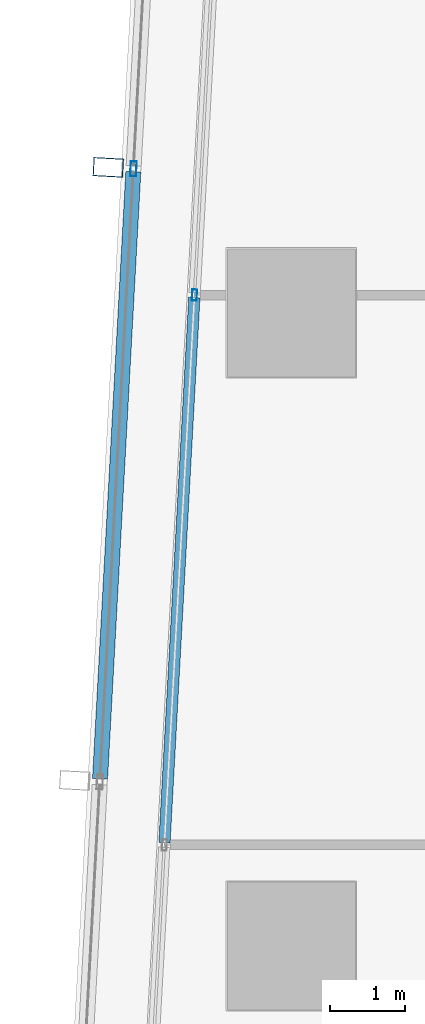
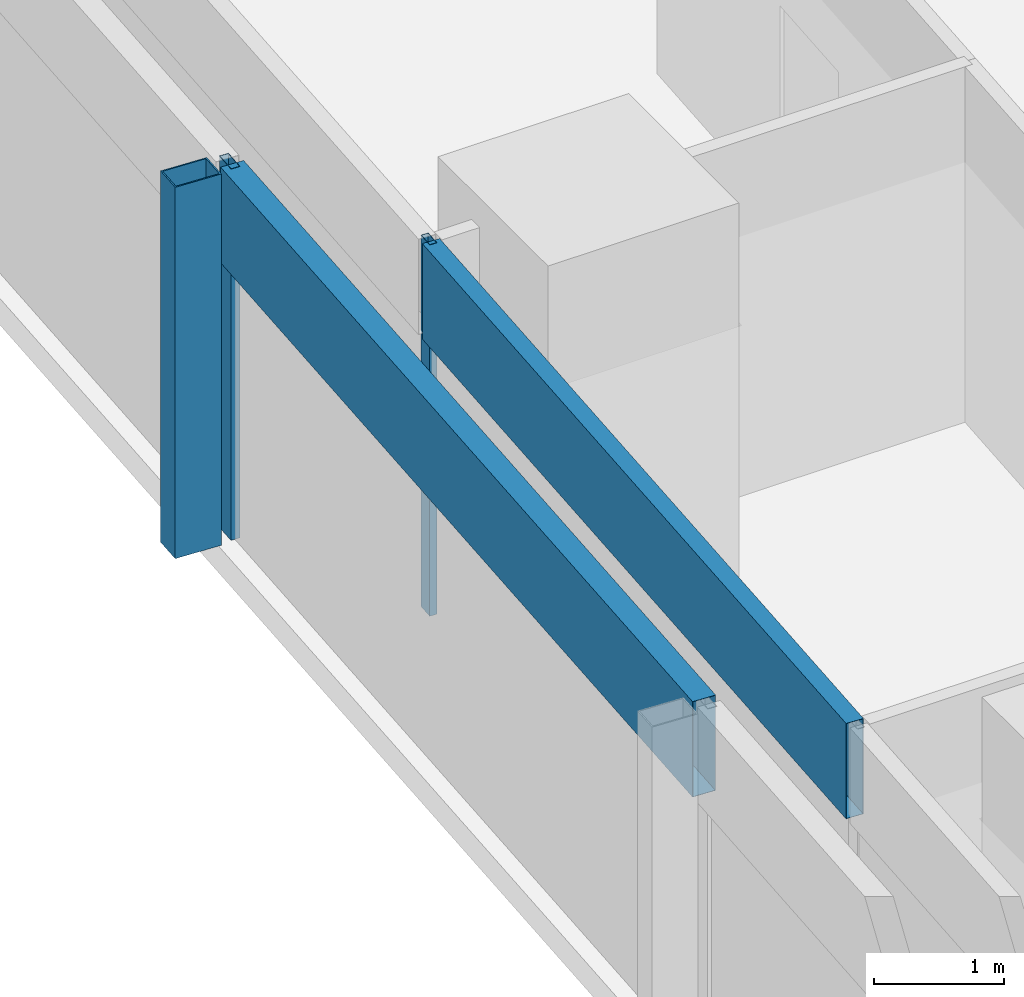
# One storey, part 12 of 38: 5 members, 2 elements without a shape of their own.
"""IFC4 building model written with IfcOpenShell, lengths in metres."""

from ifc_helpers import new_model, si_unit, direction, frame, origin, origin_2d, place, context, subcontext, project, spatial, hollow_rectangle, extrude, material, material_profile, profile_set, type_object, element, aggregate, save


model = new_model("IFC4")

# Units and contexts
model_context = context("Model", 3, precision=1e-05, world=origin(), true_north=direction((0.0, 1.0)))
body_context = subcontext(model_context, "Body", "Model", "MODEL_VIEW")
ifc_project = project(units=[si_unit("LENGTHUNIT", "METRE"), si_unit("AREAUNIT", "SQUARE_METRE"), si_unit("VOLUMEUNIT", "CUBIC_METRE"), si_unit("PLANEANGLEUNIT", "RADIAN"), si_unit("MASSUNIT", "GRAM", prefix="KILO")], contexts=[model_context])

# Site, building, storey
site_placement = place(None, origin())
site = spatial("IfcSite", under=ifc_project, at=site_placement, CompositionType="ELEMENT")
building_placement = place(site_placement, origin())
building = spatial("IfcBuilding", under=site, at=building_placement, Name="Rekha Terrace Tower", CompositionType="ELEMENT")
storey_placement = place(building_placement, frame((0.0, 0.0, 114.050048828125)))
storey = spatial("IfcBuildingStorey", under=building, at=storey_placement, Name="L28", CompositionType="ELEMENT", Elevation=114.050048828125)

# Curtain wall, member
ifc_material_1 = material(Name="Aluminium framing", Category="aluminium")
curtain_wall_type_1 = type_object("IfcCurtainWallType", Name="CW2 double skin outer glazing", PredefinedType="USERDEFINED", material=ifc_material_1)
curtain_wall_1_placement = place(storey_placement, origin())
curtain_wall_1 = element("IfcCurtainWall", 1, at=curtain_wall_1_placement, inside=storey, type_object=curtain_wall_type_1, Name="CW2 double skin outer glazing", ObjectType="DOUBLE SKIN OUTER GLAZING", PredefinedType="USERDEFINED")
ifc_material_2 = material(Name="Steel S355 with fluorocarbon finish", Category="steel")
ifc_material_profile_1 = material_profile(ifc_material_2, hollow_rectangle(XDim=0.25, YDim=0.39990234375, WallThickness=0.012451171875, at=origin_2d()), Name="RHS400x250x12.5")
ifc_profile_set_1 = profile_set([ifc_material_profile_1], Name="Steel S355 with fluorocarbon finish")
member_type_1 = type_object("IfcMemberType", Name="BL1 facade blade RHS 400 x 250", PredefinedType="USERDEFINED", material=ifc_profile_set_1)
member_1_placement = place(storey_placement, frame((5.97119140625, 52.330078125, 0.0), z_axis=(0.0, 0.0, 1.0), x_axis=(-0.054742798353, -0.998500488747, 0.0)))
member_1 = element("IfcMember", 2, at=member_1_placement, type_object=member_type_1, Name="Facade blade", ObjectType="FACADE BLADE", PredefinedType="USERDEFINED", context=body_context, shape_type="SweptSolid", body=[
    extrude(hollow_rectangle(XDim=0.25, YDim=0.39990234375, WallThickness=0.012451171875, at=origin_2d()), origin(), (0.0, 0.0, 1.0), 3.5),
])

# Curtain wall, members
curtain_wall_type_2 = type_object("IfcCurtainWallType", Name="CW1 double skin inner glazing", PredefinedType="USERDEFINED", material=ifc_material_1)
curtain_wall_2_placement = place(storey_placement, origin())
curtain_wall_2 = element("IfcCurtainWall", 3, at=curtain_wall_2_placement, inside=storey, type_object=curtain_wall_type_2, Name="CW1 double skin inner glazing", ObjectType="DOUBLE SKIN INNER GLAZING", PredefinedType="USERDEFINED")
ifc_material_3 = material(Name="Aluminium mullion section", Category="aluminium")
ifc_material_profile_2 = material_profile(ifc_material_3, hollow_rectangle(XDim=0.06494140625, YDim=0.14990234375, WallThickness=0.00390625, at=origin_2d()), Name="AL RHS 65x150")
ifc_profile_set_2 = profile_set([ifc_material_profile_2], Name="Aluminium mullion section")
member_type_2 = type_object("IfcMemberType", Name="CW1 mullion RHS 65 x 150", PredefinedType="MULLION", material=ifc_profile_set_2)
member_2_placement = place(storey_placement, frame((7.115234375, 50.635498046875, 0.0), z_axis=(0.0, 0.0, 1.0), x_axis=(0.998500513181, -0.05474235269, 0.0)))
member_2 = element("IfcMember", 4, at=member_2_placement, type_object=member_type_2, Name="CW1 mullion 2", PredefinedType="MULLION", context=body_context, shape_type="SweptSolid", body=[
    extrude(hollow_rectangle(XDim=0.06494140625, YDim=0.14990234375, WallThickness=0.00390625, at=origin_2d()), origin(), (0.0, 0.0, 1.0), 3.5),
])
ifc_material_4 = material(Name="Insulated aluminium spandrel box", Category="aluminium")
ifc_material_profile_3 = material_profile(ifc_material_4, hollow_rectangle(XDim=0.14990234375, YDim=0.89990234375, WallThickness=0.0029296875, at=origin_2d()), Name="AL SPANDREL BOX 150x900")
ifc_profile_set_3 = profile_set([ifc_material_profile_3], Name="Insulated aluminium spandrel box")
member_type_3 = type_object("IfcMemberType", Name="CW1 spandrel transom 150 x 900", PredefinedType="USERDEFINED", material=ifc_profile_set_3)
member_3_placement = place(storey_placement, frame((7.113525390625, 50.60302734375, 3.050048828125), z_axis=(-0.054747438488, -0.998500234341, 0.0), x_axis=(0.998500234341, -0.054747438488, 0.0)))
member_3 = element("IfcMember", 5, at=member_3_placement, type_object=member_type_3, Name="CW1 spandrel transom 2", ObjectType="TRANSOM", PredefinedType="USERDEFINED", context=body_context, shape_type="SweptSolid", body=[
    extrude(hollow_rectangle(XDim=0.14990234375, YDim=0.89990234375, WallThickness=0.0029296875, at=origin_2d()), origin(), (0.0, 0.0, 1.0), 7.241943359375),
])
aggregate(curtain_wall_2, [member_2, member_3])

# Member
ifc_material_profile_4 = material_profile(ifc_material_3, hollow_rectangle(XDim=0.080078125, YDim=0.199951171875, WallThickness=0.00390625, at=origin_2d()), Name="AL RHS 80x200")
ifc_profile_set_4 = profile_set([ifc_material_profile_4], Name="Aluminium mullion section")
member_type_4 = type_object("IfcMemberType", Name="CW2 mullion RHS 80 x 200", PredefinedType="MULLION", material=ifc_profile_set_4)
member_4_placement = place(storey_placement, frame((6.305908203125, 52.3115234375, 0.0), z_axis=(0.0, 0.0, 1.0), x_axis=(0.99850051318, -0.054742352707, 0.0)))
member_4 = element("IfcMember", 6, at=member_4_placement, type_object=member_type_4, Name="CW2 mullion 2", PredefinedType="MULLION", context=body_context, shape_type="SweptSolid", body=[
    extrude(hollow_rectangle(XDim=0.080078125, YDim=0.199951171875, WallThickness=0.00390625, at=origin_2d()), origin(), (0.0, 0.0, 1.0), 3.5),
])

ifc_material_profile_5 = material_profile(ifc_material_4, hollow_rectangle(XDim=0.199951171875, YDim=0.89990234375, WallThickness=0.0029296875, at=origin_2d()), Name="AL SPANDREL BOX 200x900")
ifc_profile_set_5 = profile_set([ifc_material_profile_5], Name="Insulated aluminium spandrel box")
member_type_5 = type_object("IfcMemberType", Name="CW2 spandrel transom 200 x 900", PredefinedType="USERDEFINED", material=ifc_profile_set_5)
member_5_placement = place(storey_placement, frame((6.3037109375, 52.271728515625, 3.050048828125), z_axis=(-0.054750889081, -0.99850004514, 0.0), x_axis=(0.99850004514, -0.054750889081, 0.0)))
member_5 = element("IfcMember", 7, at=member_5_placement, type_object=member_type_5, Name="CW2 spandrel transom 2", ObjectType="TRANSOM", PredefinedType="USERDEFINED", context=body_context, shape_type="SweptSolid", body=[
    extrude(hollow_rectangle(XDim=0.199951171875, YDim=0.89990234375, WallThickness=0.0029296875, at=origin_2d()), origin(), (0.0, 0.0, 1.0), 8.066650390625),
])

aggregate(curtain_wall_1, [member_4, member_5, member_1])

save(model, "model.ifc")
